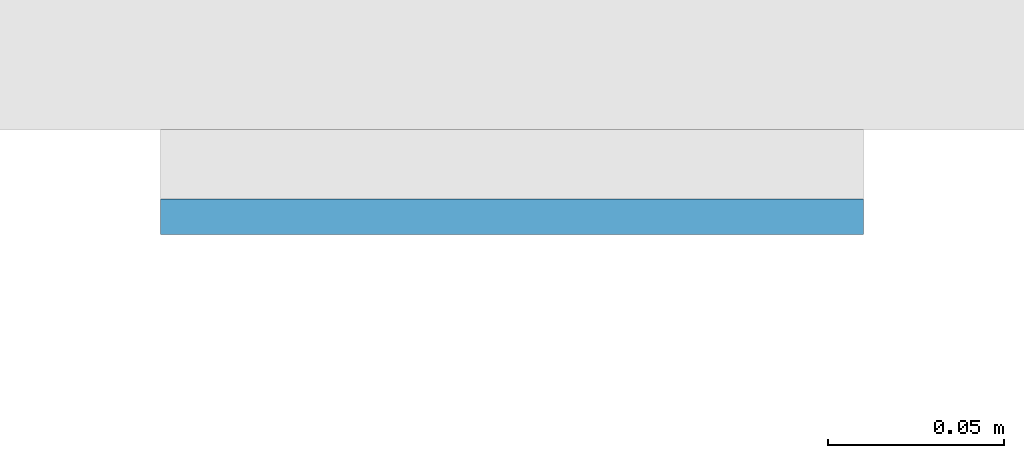
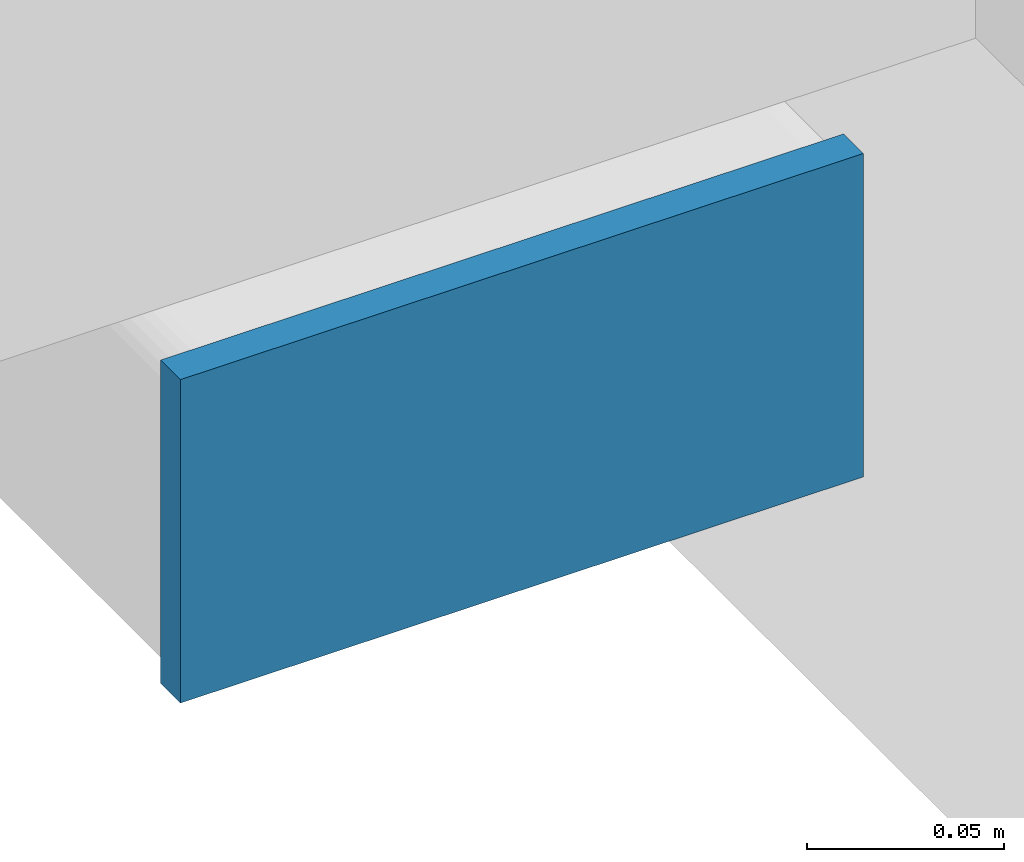
# One storey, part 8 of 20: 1 plate.
"""IFC4 building model written with IfcOpenShell, lengths in metres."""

from ifc_helpers import new_model, si_unit, direction, frame, origin, origin_2d, place, context, subcontext, project, spatial, rectangle, extrude, material, layer, layer_set, type_object, element, save


model = new_model("IFC4")

# Units and contexts
model_context = context("Model", 3, precision=1e-05, world=origin(), true_north=direction((0.0, 1.0)))
body_context = subcontext(model_context, "Body", "Model", "MODEL_VIEW")
ifc_project = project(units=[si_unit("LENGTHUNIT", "METRE"), si_unit("AREAUNIT", "SQUARE_METRE"), si_unit("VOLUMEUNIT", "CUBIC_METRE"), si_unit("PLANEANGLEUNIT", "RADIAN"), si_unit("MASSUNIT", "GRAM", prefix="KILO")], contexts=[model_context])

# Site, building, storey
site_placement = place(None, origin())
site = spatial("IfcSite", under=ifc_project, at=site_placement, CompositionType="ELEMENT")
building_placement = place(site_placement, origin())
building = spatial("IfcBuilding", under=site, at=building_placement, Name="Cleftline Residences", CompositionType="ELEMENT")
storey_placement = place(building_placement, frame((0.0, 0.0, 114.199951171875)))
storey = spatial("IfcBuildingStorey", under=building, at=storey_placement, Name="L29", CompositionType="ELEMENT", Elevation=114.199951171875)

# Plate
ifc_material = material(Name="Steel S355, hot-dip galvanised", Category="steel")
ifc_layer = layer(ifc_material, 0.010009765625)
ifc_layer_set = layer_set([ifc_layer], Name="BAGUETTE CARRIER END PLATE 200X100X10")
plate_type = type_object("IfcPlateType", Name="BAGUETTE CARRIER END PLATE 200X100X10", PredefinedType="USERDEFINED", material=ifc_layer_set)
plate_placement = place(storey_placement, frame((-0.85009765625, 3.695068359375, -0.10009765625), z_axis=(0.0, 0.0, 1.0), x_axis=(-1.0, 0.0, 0.0)))
element("IfcPlate", 1, at=plate_placement, inside=storey, type_object=plate_type, Name="Baguette carrier end plate", ObjectType="BAGUETTE CARRIER END PLATE", PredefinedType="USERDEFINED", context=body_context, shape_type="SweptSolid", body=[
    extrude(rectangle(XDim=0.199951171875, YDim=0.010009765625, at=origin_2d()), origin(), (0.0, 0.0, 1.0), 0.10009765625),
])

save(model, "model.ifc")
